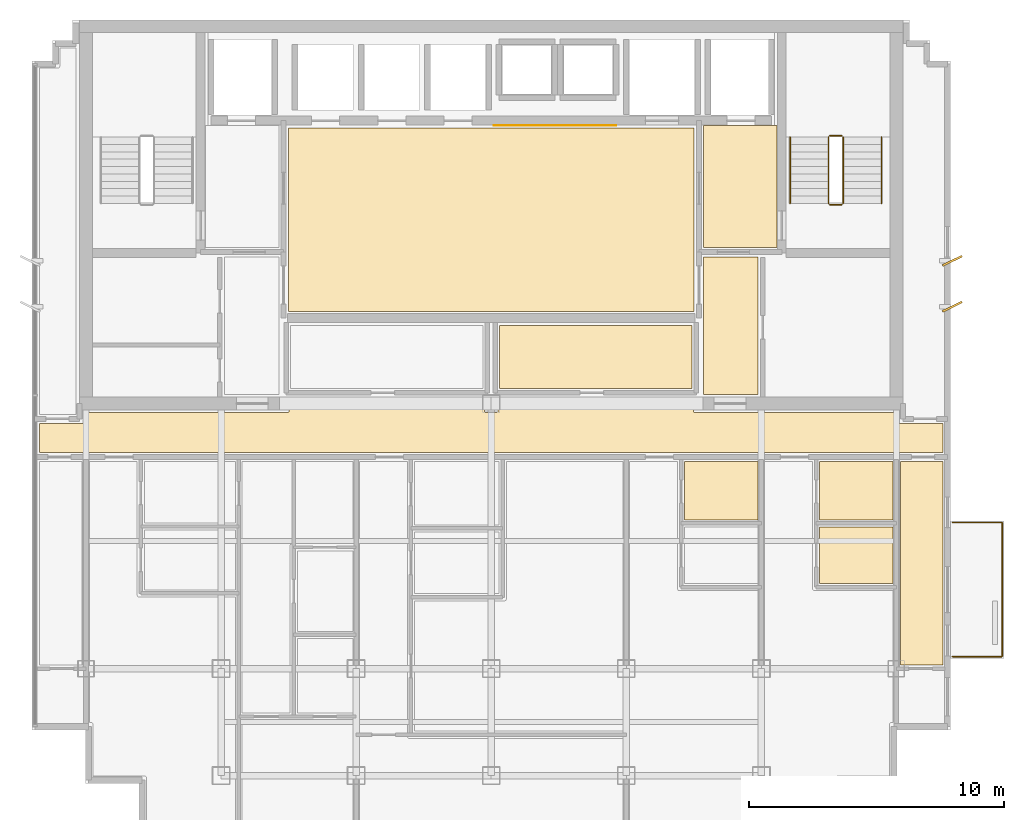
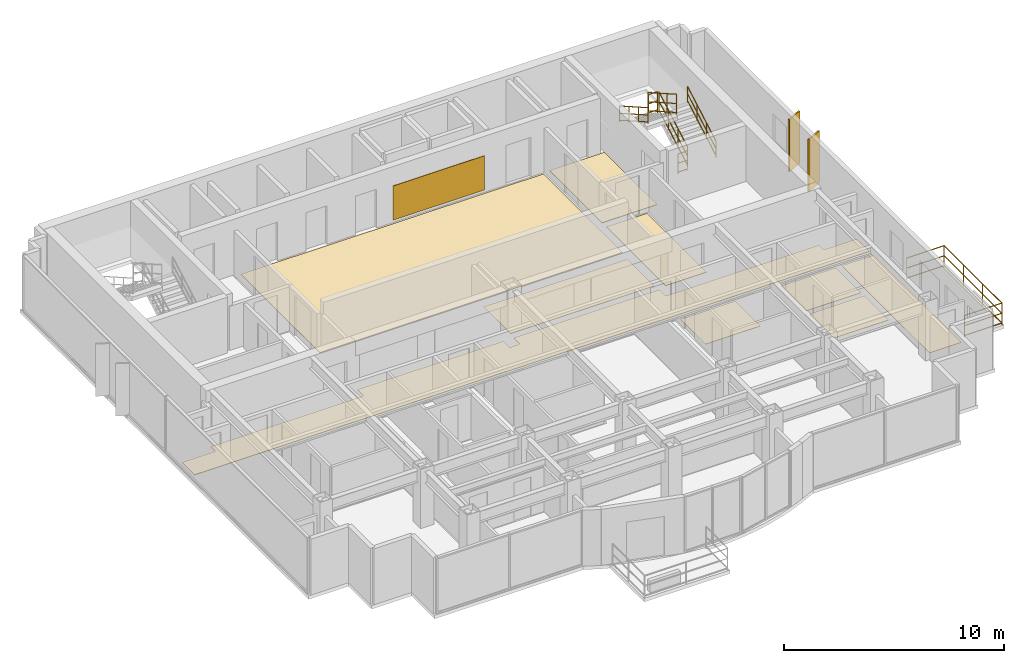
# One storey, part 9 of 9: 10 coverings, 7 railings, 2 shading devices.
"""IFC4 building model written with IfcOpenShell, lengths in metres."""

import ifcopenshell
import ifcopenshell.guid

model = None  # the IFC model being written
_history = None  # IfcOwnerHistory: only IFC2X3 demands one
_inside = {}  # id of a spatial element -> (the spatial element, [elements in it])
_under = {}  # id of a project, library or spatial element -> (it, [spatial elements below it])
_declared = {}  # id of a project -> (the project, [libraries it declares])
_typed = {}  # id of a type object -> (the type object, [elements of that type])
_made_of = {}  # id of a material, layer set ... -> (it, [elements and type objects made of it])


def new_model(schema):
    """Start an empty IFC model of exactly this schema.

    Asked for "IFC4X3", IfcOpenShell would pick the latest addendum, in which some entities
    have other attributes; the version numbers below select the first issue.
    IFC2X3 requires an IfcOwnerHistory on every rooted entity: one is made here for all.
    """
    global model, _history
    if schema == "IFC4X3":
        model = ifcopenshell.file(schema_version=(4, 3, 0, 0))
    else:
        model = ifcopenshell.file(schema=schema)
    _inside.clear()
    _under.clear()
    _declared.clear()
    _typed.clear()
    _made_of.clear()
    _history = None
    if model.schema == "IFC2X3":
        org = make("IfcOrganization", Name="unknown")
        user = make(
            "IfcPersonAndOrganization",
            ThePerson=make("IfcPerson", FamilyName="unknown"),
            TheOrganization=org,
        )
        app = make(
            "IfcApplication",
            ApplicationDeveloper=org,
            Version="unknown",
            ApplicationFullName="unknown",
            ApplicationIdentifier="unknown",
        )
        _history = make(
            "IfcOwnerHistory",
            OwningUser=user,
            OwningApplication=app,
            ChangeAction="ADDED",
            CreationDate=0,
        )
    return model


def make(cls, **values):
    """One entity of the class cls with the attributes given. An attribute that is None is left unset."""
    return model.create_entity(
        cls, **{name: value for name, value in values.items() if value is not None}
    )


def rooted(cls, **values):
    """An entity with a GlobalId (a new one), such as an element, a storey or a relation."""
    return make(cls, GlobalId=ifcopenshell.guid.new(), OwnerHistory=_history, **values)


def si_unit(unit_type, name, prefix=None):
    """IfcSIUnit, for example si_unit("LENGTHUNIT", "METRE", prefix="MILLI")."""
    return make("IfcSIUnit", UnitType=unit_type, Prefix=prefix, Name=name)


def assignment(units):
    """IfcUnitAssignment: the units of a project."""
    return None if units is None else make("IfcUnitAssignment", Units=units)


def point(xyz):
    """IfcCartesianPoint."""
    return None if xyz is None else make("IfcCartesianPoint", Coordinates=xyz)


def direction(xyz):
    """IfcDirection."""
    return None if xyz is None else make("IfcDirection", DirectionRatios=xyz)


def frame(location, z_axis=None, x_axis=None):
    """IfcAxis2Placement3D, a coordinate frame: its origin and axes. An axis left out is left unset."""
    return make(
        "IfcAxis2Placement3D",
        Location=point(location),
        Axis=direction(z_axis),
        RefDirection=direction(x_axis),
    )


def frame_2d(location, x_axis=None):
    """IfcAxis2Placement2D, a coordinate frame in the plane: its origin and x axis."""
    return make(
        "IfcAxis2Placement2D", Location=point(location), RefDirection=direction(x_axis)
    )


def origin():
    """The frame at (0, 0, 0) with its axes left unset."""
    return frame((0.0, 0.0, 0.0))


def origin_2d():
    """The frame at (0, 0) in the plane with its x axis left unset."""
    return frame_2d((0.0, 0.0))


def place(relative_to, where):
    """IfcLocalPlacement: puts the frame where relative to a parent placement (None: the world)."""
    return make(
        "IfcLocalPlacement", PlacementRelTo=relative_to, RelativePlacement=where
    )


def context(
    kind, dimensions, precision=None, world=None, true_north=None, identifier=None
):
    """IfcGeometricRepresentationContext, for example the 3D "Model" context."""
    return make(
        "IfcGeometricRepresentationContext",
        ContextIdentifier=identifier,
        ContextType=kind,
        CoordinateSpaceDimension=dimensions,
        Precision=precision,
        WorldCoordinateSystem=world,
        TrueNorth=true_north,
    )


def subcontext(parent, identifier, kind, view, scale=None):
    """IfcGeometricRepresentationSubContext, for example "Body" below "Model"."""
    return make(
        "IfcGeometricRepresentationSubContext",
        ContextIdentifier=identifier,
        ContextType=kind,
        ParentContext=parent,
        TargetScale=scale,
        TargetView=view,
    )


def project(units=None, contexts=None):
    """IfcProject with its units and contexts."""
    return rooted(
        "IfcProject",
        Name="project",
        RepresentationContexts=contexts,
        UnitsInContext=assignment(units),
    )


def spatial(cls, under=None, at=None, **own):
    """A site, building, storey or space (cls), placed at a placement, below another one or the project."""
    s = rooted(cls, ObjectPlacement=at, **own)
    if under is not None:
        _under.setdefault(under.id(), (under, []))[1].append(s)
    return s


def polyline(points):
    """IfcPolyline through the points."""
    return make("IfcPolyline", Points=[point(p) for p in points])


def profile(cls, at=None, kind="AREA", **sizes):
    """A parametric profile (cls). Its sizes go by their IFC names, for example OverallWidth=200.0."""
    return make(cls, ProfileType=kind, Position=at, **sizes)


def rectangle(**sizes):
    """IfcRectangleProfileDef."""
    return profile("IfcRectangleProfileDef", **sizes)


def circle(**sizes):
    """IfcCircleProfileDef."""
    return profile("IfcCircleProfileDef", **sizes)


def outline(outer, holes=None, kind="AREA"):
    """IfcArbitraryClosedProfileDef: a profile drawn as a closed curve; with holes, ...WithVoids."""
    if holes is None:
        return make("IfcArbitraryClosedProfileDef", ProfileType=kind, OuterCurve=outer)
    return make(
        "IfcArbitraryProfileDefWithVoids",
        ProfileType=kind,
        OuterCurve=outer,
        InnerCurves=holes,
    )


def extrude(swept, where, along, depth):
    """IfcExtrudedAreaSolid: the profile swept, set in the frame where, extruded along a direction by depth."""
    return make(
        "IfcExtrudedAreaSolid",
        SweptArea=swept,
        Position=where,
        ExtrudedDirection=direction(along),
        Depth=depth,
    )


def shape(context_of_items, identifier, shape_type, items):
    """IfcShapeRepresentation: the items that make up one representation, for example the "Body"."""
    return make(
        "IfcShapeRepresentation",
        ContextOfItems=context_of_items,
        RepresentationIdentifier=identifier,
        RepresentationType=shape_type,
        Items=items,
    )


def source(mapping_origin, context_of_items, identifier, shape_type, items):
    """IfcRepresentationMap: a shape defined once, which mapped items show again and again."""
    return make(
        "IfcRepresentationMap",
        MappingOrigin=mapping_origin,
        MappedRepresentation=shape(context_of_items, identifier, shape_type, items),
    )


def transform(
    local_origin,
    x_axis=None,
    y_axis=None,
    z_axis=None,
    scale=None,
    scale2=None,
    scale3=None,
    uniform=True,
):
    """IfcCartesianTransformationOperator3D, or its non-uniform kind. x_axis, y_axis, z_axis: its Axis1, 2, 3."""
    if uniform:
        return make(
            "IfcCartesianTransformationOperator3D",
            Axis1=direction(x_axis),
            Axis2=direction(y_axis),
            LocalOrigin=point(local_origin),
            Scale=scale,
            Axis3=direction(z_axis),
        )
    return make(
        "IfcCartesianTransformationOperator3DnonUniform",
        Axis1=direction(x_axis),
        Axis2=direction(y_axis),
        LocalOrigin=point(local_origin),
        Scale=scale,
        Axis3=direction(z_axis),
        Scale2=scale2,
        Scale3=scale3,
    )


def mapped(mapping_source, mapping_target):
    """IfcMappedItem: shows the shape of a source again, moved by a transform."""
    return make(
        "IfcMappedItem", MappingSource=mapping_source, MappingTarget=mapping_target
    )


def material(Name=None, Category=None):
    """IfcMaterial."""
    return make("IfcMaterial", Name=Name, Category=Category)


def layer(
    of_material, thickness, ventilated=None, Name=None, Category=None, Priority=None
):
    """IfcMaterialLayer: one layer of a wall or slab, of a material (None: an air gap)."""
    return make(
        "IfcMaterialLayer",
        Material=of_material,
        LayerThickness=thickness,
        IsVentilated=ventilated,
        Name=Name,
        Category=Category,
        Priority=Priority,
    )


def layer_set(layers, Name=None):
    """IfcMaterialLayerSet."""
    return make("IfcMaterialLayerSet", MaterialLayers=layers, LayerSetName=Name)


def made_of(thing, what):
    """Note that an element or type object is made of a material, layer set ...; save() writes the relation."""
    if what is not None:
        _made_of.setdefault(what.id(), (what, []))[1].append(thing)
    return thing


def type_object(cls, material=None, **own):
    """A type object (cls), such as IfcWallType, which elements share."""
    return made_of(rooted(cls, **own), material)


def element(
    cls,
    number,
    at=None,
    inside=None,
    cuts=None,
    type_object=None,
    material=None,
    context=None,
    identifier="Body",
    shape_type=None,
    held_by="IfcProductDefinitionShape",
    body=None,
    shapes=None,
    **own,
):
    """One element of the class cls, such as IfcWall. Its Tag is "e" and its number.

    at: its placement. inside: the storey or other place that contains it. cuts: it is an
    opening in that element (IfcRelVoidsElement). A single representation is given by context,
    identifier, shape_type and body (its items); several are given by shapes. held_by: the class
    of the entity that holds the representations. save() writes the other relations.
    """
    e = rooted(cls, Tag="e%d" % number, ObjectPlacement=at, **own)
    if body is not None:
        shapes = [shape(context, identifier, shape_type, body)]
    if shapes is not None:
        e.Representation = make(held_by, Representations=shapes)
    if inside is not None:
        _inside.setdefault(inside.id(), (inside, []))[1].append(e)
    if cuts is not None:
        rooted(
            "IfcRelVoidsElement", RelatingBuildingElement=cuts, RelatedOpeningElement=e
        )
    if type_object is not None:
        _typed.setdefault(type_object.id(), (type_object, []))[1].append(e)
    return made_of(e, material)


def aggregate(whole, parts):
    """IfcRelAggregates: a whole, such as a stair, and the parts it consists of."""
    return rooted("IfcRelAggregates", RelatingObject=whole, RelatedObjects=parts)


def save(model, path):
    """Write the relations noted so far, then the file.

    IfcRelAggregates (storeys below a building ...), IfcRelContainedInSpatialStructure (elements
    in a storey), IfcRelDefinesByType, IfcRelAssociatesMaterial and IfcRelDeclares: one each for
    every whole, place, type object, material and project.
    """
    for whole, parts in _under.values():
        aggregate(whole, parts)
    for where, things in _inside.values():
        rooted(
            "IfcRelContainedInSpatialStructure",
            RelatedElements=things,
            RelatingStructure=where,
        )
    for kind, things in _typed.values():
        rooted("IfcRelDefinesByType", RelatedObjects=things, RelatingType=kind)
    for what, things in _made_of.values():
        rooted("IfcRelAssociatesMaterial", RelatedObjects=things, RelatingMaterial=what)
    for by, libraries in _declared.values():
        rooted("IfcRelDeclares", RelatingContext=by, RelatedDefinitions=libraries)
    model.write(path)


model = new_model("IFC4")

# Units and contexts
model_context = context("Model", 3, precision=1e-05, world=origin(), true_north=direction((0.0, 1.0)))
body_context = subcontext(model_context, "Body", "Model", "MODEL_VIEW")
ifc_project = project(units=[si_unit("LENGTHUNIT", "METRE"), si_unit("AREAUNIT", "SQUARE_METRE"), si_unit("VOLUMEUNIT", "CUBIC_METRE"), si_unit("PLANEANGLEUNIT", "RADIAN"), si_unit("MASSUNIT", "GRAM", prefix="KILO")], contexts=[model_context])

# Site, building, storey
site_placement = place(None, origin())
site = spatial("IfcSite", under=ifc_project, at=site_placement, CompositionType="ELEMENT")
building_placement = place(site_placement, origin())
building = spatial("IfcBuilding", under=site, at=building_placement, Name="Qianlan Lanfeng Residences", CompositionType="ELEMENT")
storey_placement = place(building_placement, frame((0.0, 0.0, 242.89990234375)))
storey = spatial("IfcBuildingStorey", under=building, at=storey_placement, Name="L67", CompositionType="ELEMENT", Elevation=242.89990234375)

# Coverings
ifc_material_1 = material(Name="Anodised Bronze Feature Wall Cladding")
ifc_layer_1 = layer(ifc_material_1, 0.02490234375)
ifc_layer_set_1 = layer_set([ifc_layer_1], Name="Anodised Bronze Feature Wall Cladding")
covering_type_1 = type_object("IfcCoveringType", Name="CLD-BRZ-25", PredefinedType="CLADDING", material=ifc_layer_set_1)
covering_1_placement = place(storey_placement, frame((0.0, 0.0, 0.150146484375)))
element("IfcCovering", 1, at=covering_1_placement, inside=storey, type_object=covering_type_1, Name="L67 Lift Lobby Bronze Feature Cladding", PredefinedType="CLADDING", context=body_context, shape_type="SweptSolid", body=[
    extrude(outline(polyline([(26.60009765625, 36.10009765625), (31.39990234375, 36.10009765625), (31.39990234375, 36.125), (26.60009765625, 36.125), (26.60009765625, 36.10009765625)])), origin(), (0.0, 0.0, 1.0), 1.89990234375),
])
ifc_material_2 = material(Name="Honed Taitung Granite Stone Flooring", Category="masonry")
ifc_layer_2 = layer(ifc_material_2, 0.030029296875)
ifc_layer_set_2 = layer_set([ifc_layer_2], Name="Honed Taitung Granite Stone Flooring")
covering_type_2 = type_object("IfcCoveringType", Name="FLR-STN-30", PredefinedType="FLOORING", material=ifc_layer_set_2)
covering_2_placement = place(storey_placement, origin())
element("IfcCovering", 2, at=covering_2_placement, inside=storey, type_object=covering_type_2, Name="L67 Firefighting Lift Lobby Floor Finish", PredefinedType="FLOORING", context=body_context, shape_type="SweptSolid", body=[
    extrude(outline(polyline([(34.820068359375, 31.320068359375), (37.7099609375, 31.320068359375), (37.7099609375, 36.110107421875), (34.820068359375, 36.110107421875), (34.820068359375, 31.320068359375)])), origin(), (0.0, 0.0, 1.0), 0.030029296875),
])
covering_3_placement = place(storey_placement, origin())
element("IfcCovering", 3, at=covering_3_placement, inside=storey, type_object=covering_type_2, Name="L67 Lift Lobby Floor Finish", PredefinedType="FLOORING", context=body_context, shape_type="SweptSolid", body=[
    extrude(outline(polyline([(18.550048828125, 28.820068359375), (34.449951171875, 28.820068359375), (34.449951171875, 36.010009765625), (18.550048828125, 36.010009765625), (18.550048828125, 28.820068359375)])), origin(), (0.0, 0.0, 1.0), 0.030029296875),
])
covering_4_placement = place(storey_placement, origin())
element("IfcCovering", 4, at=covering_4_placement, inside=storey, type_object=covering_type_2, Name="L67 Residential Corridor Floor Finish", PredefinedType="FLOORING", context=body_context, shape_type="SweptSolid", body=[
    extrude(outline(polyline([(8.77001953125, 23.280029296875), (44.22998046875, 23.280029296875), (44.22998046875, 24.419921875), (42.5400390625, 24.419921875), (42.532958984375, 24.419921875), (42.52587890625, 24.4208984375), (42.52001953125, 24.423095703125), (42.512939453125, 24.425048828125), (42.507080078125, 24.427978515625), (42.5009765625, 24.431884765625), (42.49609375, 24.43603515625), (42.490966796875, 24.44091796875), (42.486083984375, 24.446044921875), (42.48193359375, 24.450927734375), (42.47802734375, 24.45703125), (42.47509765625, 24.462890625), (42.472900390625, 24.469970703125), (42.470947265625, 24.47607421875), (42.469970703125, 24.48291015625), (42.469970703125, 24.489990234375), (42.469970703125, 24.85009765625), (34.5, 24.85009765625), (34.492919921875, 24.85009765625), (34.486083984375, 24.85107421875), (34.47998046875, 24.85302734375), (34.472900390625, 24.85498046875), (34.467041015625, 24.85791015625), (34.4609375, 24.862060546875), (34.4560546875, 24.865966796875), (34.450927734375, 24.87109375), (34.446044921875, 24.8759765625), (34.44189453125, 24.881103515625), (34.43798828125, 24.886962890625), (34.43505859375, 24.89306640625), (34.43310546875, 24.89990234375), (34.430908203125, 24.906005859375), (34.429931640625, 24.9130859375), (34.429931640625, 24.919921875), (34.429931640625, 25.429931640625), (26.77001953125, 25.429931640625), (26.77001953125, 24.919921875), (26.77001953125, 24.9130859375), (26.76904296875, 24.906005859375), (26.76708984375, 24.89990234375), (26.764892578125, 24.89306640625), (26.761962890625, 24.886962890625), (26.758056640625, 24.881103515625), (26.75390625, 24.8759765625), (26.7490234375, 24.87109375), (26.743896484375, 24.865966796875), (26.739013671875, 24.862060546875), (26.73291015625, 24.85791015625), (26.72705078125, 24.85498046875), (26.719970703125, 24.85302734375), (26.714111328125, 24.85107421875), (26.70703125, 24.85009765625), (26.699951171875, 24.85009765625), (26.300048828125, 24.85009765625), (26.29296875, 24.85009765625), (26.285888671875, 24.85107421875), (26.280029296875, 24.85302734375), (26.27294921875, 24.85498046875), (26.26708984375, 24.85791015625), (26.260986328125, 24.862060546875), (26.256103515625, 24.865966796875), (26.2509765625, 24.87109375), (26.24609375, 24.8759765625), (26.241943359375, 24.881103515625), (26.238037109375, 24.886962890625), (26.235107421875, 24.89306640625), (26.23291015625, 24.89990234375), (26.23095703125, 24.906005859375), (26.22998046875, 24.9130859375), (26.22998046875, 24.919921875), (26.22998046875, 25.429931640625), (18.570068359375, 25.429931640625), (18.570068359375, 24.919921875), (18.570068359375, 24.9130859375), (18.569091796875, 24.906005859375), (18.56689453125, 24.89990234375), (18.56494140625, 24.89306640625), (18.56201171875, 24.886962890625), (18.55810546875, 24.881103515625), (18.553955078125, 24.8759765625), (18.549072265625, 24.87109375), (18.5439453125, 24.865966796875), (18.5390625, 24.862060546875), (18.532958984375, 24.85791015625), (18.527099609375, 24.85498046875), (18.52001953125, 24.85302734375), (18.513916015625, 24.85107421875), (18.507080078125, 24.85009765625), (18.5, 24.85009765625), (10.530029296875, 24.85009765625), (10.530029296875, 24.489990234375), (10.530029296875, 24.48291015625), (10.529052734375, 24.47607421875), (10.527099609375, 24.469970703125), (10.52490234375, 24.462890625), (10.52197265625, 24.45703125), (10.51806640625, 24.450927734375), (10.513916015625, 24.446044921875), (10.509033203125, 24.44091796875), (10.50390625, 24.43603515625), (10.4990234375, 24.431884765625), (10.492919921875, 24.427978515625), (10.487060546875, 24.425048828125), (10.47998046875, 24.423095703125), (10.47412109375, 24.4208984375), (10.467041015625, 24.419921875), (10.4599609375, 24.419921875), (8.77001953125, 24.419921875), (8.77001953125, 23.280029296875)])), origin(), (0.0, 0.0, 1.0), 0.030029296875),
])
covering_5_placement = place(storey_placement, origin())
element("IfcCovering", 5, at=covering_5_placement, inside=storey, type_object=covering_type_2, Name="L67 Lift Lobby Floor Finish", PredefinedType="FLOORING", context=body_context, shape_type="SweptSolid", body=[
    extrude(outline(polyline([(34.830078125, 25.56005859375), (36.969970703125, 25.56005859375), (36.969970703125, 30.949951171875), (34.830078125, 30.949951171875), (34.830078125, 25.56005859375)])), origin(), (0.0, 0.0, 1.0), 0.030029296875),
])
ifc_material_3 = material(Name="Slip-Resistant Porcelain Tile Flooring")
ifc_layer_3 = layer(ifc_material_3, 0.02001953125)
ifc_layer_set_3 = layer_set([ifc_layer_3], Name="Slip-Resistant Porcelain Tile Flooring")
covering_type_3 = type_object("IfcCoveringType", Name="FLR-TIL-20", PredefinedType="FLOORING", material=ifc_layer_set_3)
covering_6_placement = place(storey_placement, origin())
element("IfcCovering", 6, at=covering_6_placement, inside=storey, type_object=covering_type_3, Name="L67 Bathroom Floor Finish", PredefinedType="FLOORING", context=body_context, shape_type="SweptSolid", body=[
    extrude(outline(polyline([(34.090087890625, 20.639892578125), (36.9599609375, 20.639892578125), (36.9599609375, 22.929931640625), (34.090087890625, 22.929931640625), (34.090087890625, 20.639892578125)])), origin(), (0.0, 0.0, 1.0), 0.02001953125),
])
covering_7_placement = place(storey_placement, origin())
element("IfcCovering", 7, at=covering_7_placement, inside=storey, type_object=covering_type_3, Name="L67 Kitchen Floor Finish", PredefinedType="FLOORING", context=body_context, shape_type="SweptSolid", body=[
    extrude(outline(polyline([(39.389892578125, 18.139892578125), (42.260009765625, 18.139892578125), (42.260009765625, 20.360107421875), (39.389892578125, 20.360107421875), (39.389892578125, 18.139892578125)])), origin(), (0.0, 0.0, 1.0), 0.02001953125),
])
covering_8_placement = place(storey_placement, origin())
element("IfcCovering", 8, at=covering_8_placement, inside=storey, type_object=covering_type_3, Name="L67 Bathroom Floor Finish", PredefinedType="FLOORING", context=body_context, shape_type="SweptSolid", body=[
    extrude(outline(polyline([(39.389892578125, 20.639892578125), (42.260009765625, 20.639892578125), (42.260009765625, 22.929931640625), (39.389892578125, 22.929931640625), (39.389892578125, 20.639892578125)])), origin(), (0.0, 0.0, 1.0), 0.02001953125),
])
ifc_material_4 = material(Name="Engineered Smoked Oak Timber Flooring", Category="wood")
ifc_layer_4 = layer(ifc_material_4, 0.02197265625)
ifc_layer_set_4 = layer_set([ifc_layer_4], Name="Engineered Smoked Oak Timber Flooring")
covering_type_4 = type_object("IfcCoveringType", Name="FLR-TIM-22", PredefinedType="FLOORING", material=ifc_layer_set_4)
covering_9_placement = place(storey_placement, origin())
element("IfcCovering", 9, at=covering_9_placement, inside=storey, type_object=covering_type_4, Name="L67 Tea Room Floor Finish", PredefinedType="FLOORING", context=body_context, shape_type="SweptSolid", body=[
    extrude(outline(polyline([(26.830078125, 25.800048828125), (34.3701171875, 25.800048828125), (34.3701171875, 28.2548828125), (26.830078125, 28.2548828125), (26.830078125, 25.800048828125)])), origin(), (0.0, 0.0, 1.0), 0.022216796875),
])
covering_10_placement = place(storey_placement, origin())
element("IfcCovering", 10, at=covering_10_placement, inside=storey, type_object=covering_type_4, Name="L67 Private Study Floor Finish", PredefinedType="FLOORING", context=body_context, shape_type="SweptSolid", body=[
    extrude(outline(polyline([(44.22998046875, 22.929931640625), (42.56005859375, 22.929931640625), (42.56005859375, 14.949951171875), (44.22998046875, 14.949951171875), (44.22998046875, 22.929931640625)])), origin(), (0.0, 0.0, 1.0), 0.022216796875),
])

# Railings
ifc_material_5 = material(Name="Anodised Bronze Aluminium and Laminated Glass Guard Balustrade", Category="aluminium")
railing_type_1 = type_object("IfcRailingType", Name="GR-EXT-1220", PredefinedType="BALUSTRADE", material=ifc_material_5)
railing_1_placement = place(storey_placement, frame((44.590087890625, 20.530029296875, 0.0)))
element("IfcRailing", 11, at=railing_1_placement, inside=storey, type_object=railing_type_1, Name="L67 Terrace Safety Guard GR-L67-EB-S", PredefinedType="BALUSTRADE", context=body_context, shape_type="SweptSolid", body=[
    extrude(circle(Radius=0.02490234375, at=origin_2d()), frame((0.0, 0.0, 0.0849609375), z_axis=(1.0, 0.0, 0.0), x_axis=(0.0, 1.0, 0.0)), (0.0, 0.0, 1.0), 1.9599609375),
    extrude(circle(Radius=0.02490234375, at=origin_2d()), frame((0.0, 0.0, 0.63427734375), z_axis=(1.0, 0.0, 0.0), x_axis=(0.0, 1.0, 0.0)), (0.0, 0.0, 1.0), 1.9599609375),
    extrude(circle(Radius=0.02490234375, at=origin_2d()), frame((0.0, 0.0, 1.19482421875), z_axis=(1.0, 0.0, 0.0), x_axis=(0.0, 1.0, 0.0)), (0.0, 0.0, 1.0), 1.9599609375),
    extrude(circle(Radius=0.02490234375, at=origin_2d()), frame((1.9599609375, 0.0, 0.0849609375), z_axis=(0.0, -1.0, 0.0), x_axis=(1.0, 0.0, 0.0)), (0.0, 0.0, 1.0), 5.260009765625),
    extrude(circle(Radius=0.02490234375, at=origin_2d()), frame((1.9599609375, 0.0, 0.63427734375), z_axis=(0.0, -1.0, 0.0), x_axis=(1.0, 0.0, 0.0)), (0.0, 0.0, 1.0), 5.260009765625),
    extrude(circle(Radius=0.02490234375, at=origin_2d()), frame((1.9599609375, 0.0, 1.19482421875), z_axis=(0.0, -1.0, 0.0), x_axis=(1.0, 0.0, 0.0)), (0.0, 0.0, 1.0), 5.260009765625),
    extrude(circle(Radius=0.02490234375, at=origin_2d()), frame((1.9599609375, -5.260009765625, 0.0849609375), z_axis=(-1.0, 0.0, 0.0), x_axis=(0.0, -1.0, 0.0)), (0.0, 0.0, 1.0), 1.9599609375),
    extrude(circle(Radius=0.02490234375, at=origin_2d()), frame((1.9599609375, -5.260009765625, 0.63427734375), z_axis=(-1.0, 0.0, 0.0), x_axis=(0.0, -1.0, 0.0)), (0.0, 0.0, 1.0), 1.9599609375),
    extrude(circle(Radius=0.02490234375, at=origin_2d()), frame((1.9599609375, -5.260009765625, 1.19482421875), z_axis=(-1.0, 0.0, 0.0), x_axis=(0.0, -1.0, 0.0)), (0.0, 0.0, 1.0), 1.9599609375),
    extrude(circle(Radius=0.02099609375, at=origin_2d()), origin(), (0.0, 0.0, 1.0), 1.169921875),
    extrude(circle(Radius=0.02099609375, at=origin_2d()), frame((1.9599609375, 0.0, 0.0)), (0.0, 0.0, 1.0), 1.169921875),
    extrude(circle(Radius=0.02099609375, at=origin_2d()), frame((1.9599609375, -1.75341796875, 0.0)), (0.0, 0.0, 1.0), 1.169921875),
    extrude(circle(Radius=0.02099609375, at=origin_2d()), frame((1.9599609375, -3.506591796875, 0.0)), (0.0, 0.0, 1.0), 1.169921875),
    extrude(circle(Radius=0.02099609375, at=origin_2d()), frame((1.9599609375, -5.260009765625, 0.0)), (0.0, 0.0, 1.0), 1.169921875),
    extrude(circle(Radius=0.02099609375, at=origin_2d()), frame((0.0, -5.260009765625, 0.0)), (0.0, 0.0, 1.0), 1.169921875),
])
ifc_material_6 = material(Name="Painted Galvanised Steel Guardrail", Category="steel")
railing_type_2 = type_object("IfcRailingType", Name="GR-ST-1120", PredefinedType="GUARDRAIL", material=ifc_material_6)
railing_2_placement = place(storey_placement, frame((40.31005859375, 33.050048828125, 0.1650390625)))
element("IfcRailing", 12, at=railing_2_placement, inside=storey, type_object=railing_type_2, Name="L67 ST-2 stair guard 1", PredefinedType="GUARDRAIL", context=body_context, shape_type="SweptSolid", body=[
    extrude(circle(Radius=0.02392578125, at=origin_2d()), frame((0.0, 0.0, 0.083984375), z_axis=(0.0, 0.869137319866, 0.494570843475), x_axis=(-1.0, 0.0, 0.0)), (0.0, 0.0, 1.0), 3.0029296875),
    extrude(circle(Radius=0.02392578125, at=origin_2d()), frame((0.0, 0.0, 0.58251953125), z_axis=(0.0, 0.869137319866, 0.494570843475), x_axis=(-1.0, 0.0, 0.0)), (0.0, 0.0, 1.0), 3.0029296875),
    extrude(circle(Radius=0.02392578125, at=origin_2d()), frame((0.0, 0.0, 1.09619140625), z_axis=(0.0, 0.869137319866, 0.494570843475), x_axis=(-1.0, 0.0, 0.0)), (0.0, 0.0, 1.0), 3.0029296875),
    extrude(circle(Radius=0.02099609375, at=origin_2d()), origin(), (0.0, 0.0, 1.0), 1.072021484375),
    extrude(circle(Radius=0.02099609375, at=origin_2d()), frame((0.0, 0.869873046875, 0.4951171875)), (0.0, 0.0, 1.0), 1.072021484375),
    extrude(circle(Radius=0.02099609375, at=origin_2d()), frame((0.0, 1.739990234375, 0.989990234375)), (0.0, 0.0, 1.0), 1.072021484375),
    extrude(circle(Radius=0.02099609375, at=origin_2d()), frame((0.0, 2.60986328125, 1.485107421875)), (0.0, 0.0, 1.0), 1.072021484375),
])
railing_3_placement = place(storey_placement, frame((40.260009765625, 35.7099609375, 1.650146484375)))
element("IfcRailing", 13, at=railing_3_placement, inside=storey, type_object=railing_type_2, Name="L67 ST-2 stair guard 2", PredefinedType="GUARDRAIL", context=body_context, shape_type="SweptSolid", body=[
    extrude(circle(Radius=0.02392578125, at=origin_2d()), frame((0.0, 0.0, 0.083984375), z_axis=(-1.0, 0.0, 0.0), x_axis=(0.0, -1.0, 0.0)), (0.0, 0.0, 1.0), 0.47998046875),
    extrude(circle(Radius=0.02392578125, at=origin_2d()), frame((0.0, 0.0, 0.58251953125), z_axis=(-1.0, 0.0, 0.0), x_axis=(0.0, -1.0, 0.0)), (0.0, 0.0, 1.0), 0.47998046875),
    extrude(circle(Radius=0.02392578125, at=origin_2d()), frame((0.0, 0.0, 1.09619140625), z_axis=(-1.0, 0.0, 0.0), x_axis=(0.0, -1.0, 0.0)), (0.0, 0.0, 1.0), 0.47998046875),
    extrude(circle(Radius=0.02099609375, at=origin_2d()), origin(), (0.0, 0.0, 1.0), 1.072021484375),
    extrude(circle(Radius=0.02099609375, at=origin_2d()), frame((-0.47998046875, 0.0, 0.0)), (0.0, 0.0, 1.0), 1.072021484375),
])
railing_4_placement = place(storey_placement, frame((39.72998046875, 35.659912109375, 1.815185546875)))
element("IfcRailing", 14, at=railing_4_placement, inside=storey, type_object=railing_type_2, Name="L67 ST-2 stair guard 3", PredefinedType="GUARDRAIL", context=body_context, shape_type="SweptSolid", body=[
    extrude(circle(Radius=0.02392578125, at=origin_2d()), frame((0.0, 0.0, 0.083984375), z_axis=(0.0, -0.869172267526, 0.494509422927), x_axis=(1.0, 0.0, 0.0)), (0.0, 0.0, 1.0), 3.002685546875),
    extrude(circle(Radius=0.02392578125, at=origin_2d()), frame((0.0, 0.0, 0.58251953125), z_axis=(0.0, -0.869172267526, 0.494509422927), x_axis=(1.0, 0.0, 0.0)), (0.0, 0.0, 1.0), 3.002685546875),
    extrude(circle(Radius=0.02392578125, at=origin_2d()), frame((0.0, 0.0, 1.09619140625), z_axis=(0.0, -0.869172267526, 0.494509422927), x_axis=(1.0, 0.0, 0.0)), (0.0, 0.0, 1.0), 3.002685546875),
    extrude(circle(Radius=0.02099609375, at=origin_2d()), origin(), (0.0, 0.0, 1.0), 1.072021484375),
    extrude(circle(Radius=0.02099609375, at=origin_2d()), frame((0.0, -0.869873046875, 0.494873046875)), (0.0, 0.0, 1.0), 1.072021484375),
    extrude(circle(Radius=0.02099609375, at=origin_2d()), frame((0.0, -1.739990234375, 0.989990234375)), (0.0, 0.0, 1.0), 1.072021484375),
    extrude(circle(Radius=0.02099609375, at=origin_2d()), frame((0.0, -2.60986328125, 1.48486328125)), (0.0, 0.0, 1.0), 1.072021484375),
])
railing_5_placement = place(storey_placement, frame((40.260009765625, 33.0, 0.0)))
element("IfcRailing", 15, at=railing_5_placement, inside=storey, type_object=railing_type_2, Name="L67 ST-2 stair guard 4", PredefinedType="GUARDRAIL", context=body_context, shape_type="SweptSolid", body=[
    extrude(circle(Radius=0.02392578125, at=origin_2d()), frame((0.0, 0.0, 0.083984375), z_axis=(-1.0, 0.0, 0.0), x_axis=(0.0, -1.0, 0.0)), (0.0, 0.0, 1.0), 0.47998046875),
    extrude(circle(Radius=0.02392578125, at=origin_2d()), frame((0.0, 0.0, 0.58251953125), z_axis=(-1.0, 0.0, 0.0), x_axis=(0.0, -1.0, 0.0)), (0.0, 0.0, 1.0), 0.47998046875),
    extrude(circle(Radius=0.02392578125, at=origin_2d()), frame((0.0, 0.0, 1.09619140625), z_axis=(-1.0, 0.0, 0.0), x_axis=(0.0, -1.0, 0.0)), (0.0, 0.0, 1.0), 0.47998046875),
    extrude(circle(Radius=0.02099609375, at=origin_2d()), origin(), (0.0, 0.0, 1.0), 1.072021484375),
    extrude(circle(Radius=0.02099609375, at=origin_2d()), frame((-0.47998046875, 0.0, 0.0)), (0.0, 0.0, 1.0), 1.072021484375),
])
ifc_material_7 = material(Name="Brushed Stainless Steel Handrail", Category="steel")
railing_type_3 = type_object("IfcRailingType", Name="HR-ST-920", PredefinedType="HANDRAIL", material=ifc_material_7)
railing_6_placement = place(storey_placement, frame((41.81005859375, 33.050048828125, 0.1650390625)))
element("IfcRailing", 16, at=railing_6_placement, inside=storey, type_object=railing_type_3, Name="L67 ST-2 stair handrail 1", PredefinedType="HANDRAIL", context=body_context, shape_type="SweptSolid", body=[
    extrude(circle(Radius=0.02392578125, at=origin_2d()), frame((0.0, 0.0, 0.083984375), z_axis=(0.0, 0.869137319866, 0.494570843475), x_axis=(-1.0, 0.0, 0.0)), (0.0, 0.0, 1.0), 3.0029296875),
    extrude(circle(Radius=0.02392578125, at=origin_2d()), frame((0.0, 0.0, 0.468017578125), z_axis=(0.0, 0.869137319866, 0.494570843475), x_axis=(-1.0, 0.0, 0.0)), (0.0, 0.0, 1.0), 3.0029296875),
    extrude(circle(Radius=0.02392578125, at=origin_2d()), frame((0.0, 0.0, 0.8759765625), z_axis=(0.0, 0.869137319866, 0.494570843475), x_axis=(-1.0, 0.0, 0.0)), (0.0, 0.0, 1.0), 3.0029296875),
    extrude(circle(Radius=0.02099609375, at=origin_2d()), origin(), (0.0, 0.0, 1.0), 0.851806640625),
    extrude(circle(Radius=0.02099609375, at=origin_2d()), frame((0.0, 0.869873046875, 0.4951171875)), (0.0, 0.0, 1.0), 0.851806640625),
    extrude(circle(Radius=0.02099609375, at=origin_2d()), frame((0.0, 1.739990234375, 0.989990234375)), (0.0, 0.0, 1.0), 0.851806640625),
    extrude(circle(Radius=0.02099609375, at=origin_2d()), frame((0.0, 2.60986328125, 1.485107421875)), (0.0, 0.0, 1.0), 0.851806640625),
])
railing_7_placement = place(storey_placement, frame((38.22998046875, 35.659912109375, 1.815185546875)))
element("IfcRailing", 17, at=railing_7_placement, inside=storey, type_object=railing_type_3, Name="L67 ST-2 stair handrail 2", PredefinedType="HANDRAIL", context=body_context, shape_type="SweptSolid", body=[
    extrude(circle(Radius=0.02392578125, at=origin_2d()), frame((0.0, 0.0, 0.083984375), z_axis=(0.0, -0.869172267526, 0.494509422927), x_axis=(1.0, 0.0, 0.0)), (0.0, 0.0, 1.0), 3.002685546875),
    extrude(circle(Radius=0.02392578125, at=origin_2d()), frame((0.0, 0.0, 0.468017578125), z_axis=(0.0, -0.869172267526, 0.494509422927), x_axis=(1.0, 0.0, 0.0)), (0.0, 0.0, 1.0), 3.002685546875),
    extrude(circle(Radius=0.02392578125, at=origin_2d()), frame((0.0, 0.0, 0.8759765625), z_axis=(0.0, -0.869172267526, 0.494509422927), x_axis=(1.0, 0.0, 0.0)), (0.0, 0.0, 1.0), 3.002685546875),
    extrude(circle(Radius=0.02099609375, at=origin_2d()), origin(), (0.0, 0.0, 1.0), 0.851806640625),
    extrude(circle(Radius=0.02099609375, at=origin_2d()), frame((0.0, -0.869873046875, 0.494873046875)), (0.0, 0.0, 1.0), 0.851806640625),
    extrude(circle(Radius=0.02099609375, at=origin_2d()), frame((0.0, -1.739990234375, 0.989990234375)), (0.0, 0.0, 1.0), 0.851806640625),
    extrude(circle(Radius=0.02099609375, at=origin_2d()), frame((0.0, -2.60986328125, 1.48486328125)), (0.0, 0.0, 1.0), 0.851806640625),
])

# Shading devices
ifc_material_8 = material(Name="Anodised Bronze Aluminium Solar Fin", Category="aluminium")
shading_device_type = type_object("IfcShadingDeviceType", Name="FIN-BRZ-850", PredefinedType="SHUTTER", material=ifc_material_8)
shared_shape = source(origin(), body_context, "Body", "SweptSolid", [
    extrude(rectangle(XDim=0.85009765625, YDim=0.080078125, at=origin_2d()), origin(), (0.0, 0.0, 1.0), 2.89990234375),
])
for number, where, z_axis, x_axis, name in (
    (18, (44.590087890625, 29.0, 0.000244140625), (0.0, 0.0, 1.0), (0.898794046299, 0.438371146789, 0.0), "L67 Raked Bronze Solar Fin E1"),
    (19, (44.590087890625, 30.800048828125, 0.000244140625), (0.0, 0.0, 1.0), (0.898794046299, 0.438371146789, 0.0), "L67 Raked Bronze Solar Fin E2"),
):
    element("IfcShadingDevice", number, at=place(storey_placement, frame(where, z_axis=z_axis, x_axis=x_axis)), inside=storey, type_object=shading_device_type, Name=name, PredefinedType="SHUTTER", context=body_context, shape_type="MappedRepresentation", body=[
        mapped(shared_shape, transform((0.0, 0.0, 0.0), scale=1.0)),
    ])

save(model, "model.ifc")
